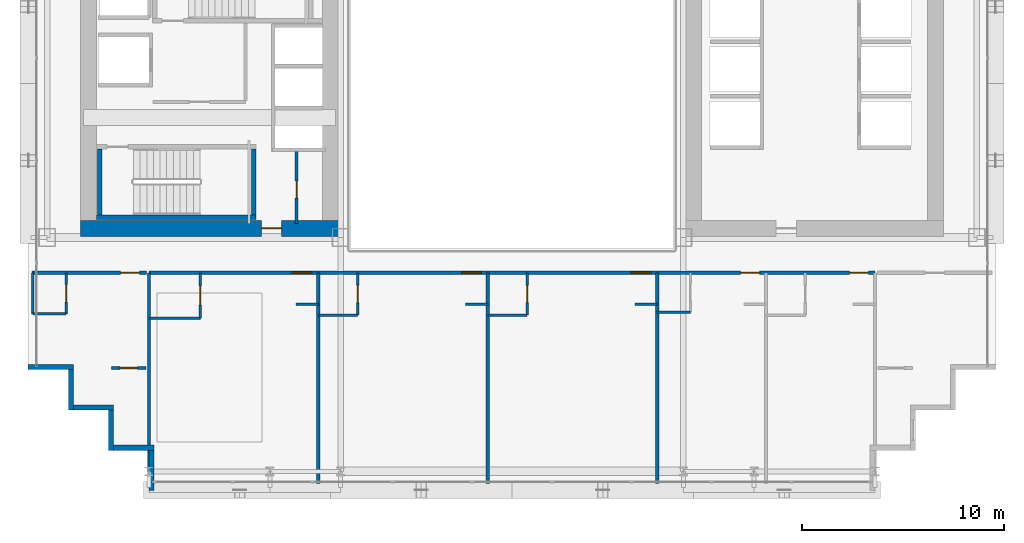
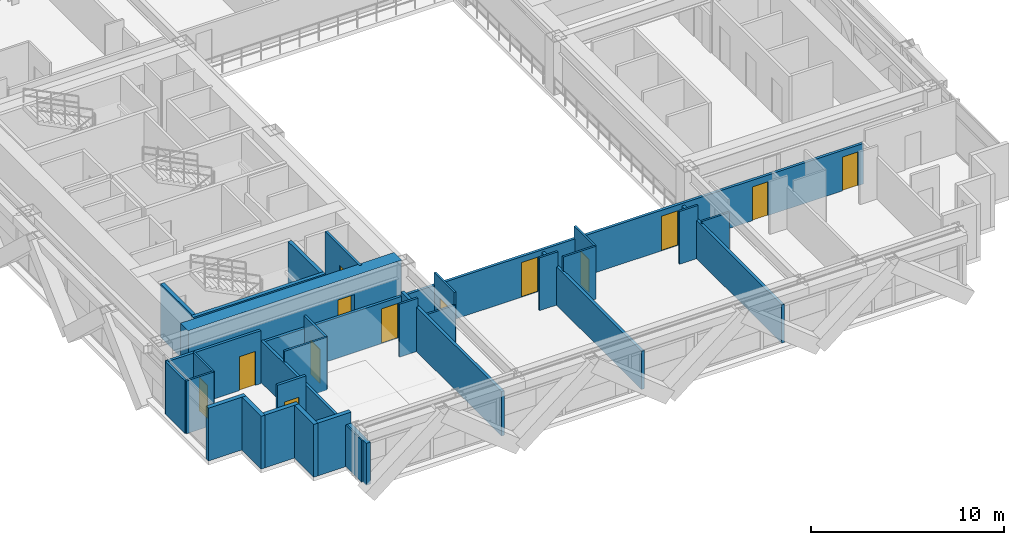
# One storey, part 27 of 35: 31 walls, 13 doors, 13 openings.
"""IFC4 building model written with IfcOpenShell, lengths in metres."""

from ifc_helpers import new_model, si_unit, direction, frame, frame_2d, origin, place, context, subcontext, project, spatial, rectangle, extrude, source, transform, mapped, material, layer, layer_set, type_object, element, fill, save


model = new_model("IFC4")

# Units and contexts
model_context = context("Model", 3, precision=1e-05, world=origin(), true_north=direction((0.0, 1.0)))
body_context = subcontext(model_context, "Body", "Model", "MODEL_VIEW")
ifc_project = project(units=[si_unit("LENGTHUNIT", "METRE"), si_unit("AREAUNIT", "SQUARE_METRE"), si_unit("VOLUMEUNIT", "CUBIC_METRE"), si_unit("PLANEANGLEUNIT", "RADIAN"), si_unit("MASSUNIT", "GRAM", prefix="KILO")], contexts=[model_context])

# Site, building, storey
site_placement = place(None, origin())
site = spatial("IfcSite", under=ifc_project, at=site_placement, CompositionType="ELEMENT")
building_placement = place(site_placement, origin())
building = spatial("IfcBuilding", under=site, at=building_placement, Name="Ocotamira Hotel", CompositionType="ELEMENT")
storey_placement = place(building_placement, frame((0.0, 0.0, 63.60009765625)))
storey = spatial("IfcBuildingStorey", under=building, at=storey_placement, Name="L15", CompositionType="ELEMENT", Elevation=63.60009765625)

# Wall, opening, door
ifc_material_1 = material(Name="Concrete C60/75", Category="concrete")
ifc_layer_1 = layer(ifc_material_1, 0.800048828125)
ifc_layer_set_1 = layer_set([ifc_layer_1], Name="Concrete C60/75")
wall_type_1 = type_object("IfcWallType", Name="WL-CORE-800", PredefinedType="SHEAR", material=ifc_layer_set_1)
wall_1_placement = place(storey_placement, frame((10.60009765625, 15.0, 0.0), z_axis=(0.0, 0.0, 1.0), x_axis=(1.0, 0.0, 0.0)))
wall_1 = element("IfcWall", 1, at=wall_1_placement, inside=storey, type_object=wall_type_1, Name="L15 Shear Core Wall WCORE-S", PredefinedType="SHEAR", context=body_context, shape_type="SweptSolid", body=[
    extrude(rectangle(XDim=12.7998046875, YDim=0.800048828125, at=frame_2d((6.39990234375, 0.0))), origin(), (0.0, 0.0, 1.0), 3.349853515625),
])
opening_1_placement = place(wall_1_placement, frame((8.97998046875, 0.0, 0.0)))
opening_1 = element("IfcOpeningElement", 2, at=opening_1_placement, cuts=wall_1, Name="Opening D-FR2", PredefinedType="OPENING", context=body_context, shape_type="SweptSolid", body=[
    extrude(rectangle(XDim=1.0, YDim=2.14990234375, at=frame_2d((0.5, 1.074951171875))), frame((0.0, 0.41015625, 0.0), z_axis=(0.0, -1.0, 0.0), x_axis=(1.0, 0.0, 0.0)), (0.0, 0.0, 1.0), 0.820068359375),
])
ifc_material_2 = material(Name="Fire-rated acoustic timber-veneer door", Category="wood")
door_type_1 = type_object("IfcDoorType", Name="DR-FIRE-1000", OperationType="NOTDEFINED", PredefinedType="DOOR", material=ifc_material_2)
shared_shape_1 = source(origin(), body_context, "Body", "SweptSolid", [
    extrude(rectangle(XDim=1.0, YDim=2.14990234375, at=frame_2d((0.5, 1.074951171875))), frame((0.0, 0.02490234375, 0.0), z_axis=(0.0, -1.0, 0.0), x_axis=(1.0, 0.0, 0.0)), (0.0, 0.0, 1.0), 0.050048828125),
])
door_1_placement = place(opening_1_placement, origin())
door_1 = element("IfcDoor", 3, at=door_1_placement, inside=storey, type_object=door_type_1, Name="L15 Door ID-L15-WLOB-S-D [ID-L15-WLOB-S-D]", OperationType="SINGLE_SWING_LEFT", OverallHeight=2.14990234375, OverallWidth=1.0, PredefinedType="DOOR", context=body_context, shape_type="MappedRepresentation", body=[
    mapped(shared_shape_1, transform((0.0, 0.0, 0.0), scale=1.0)),
])
fill(opening_1, door_1)

# Walls
ifc_material_3 = material(Name="Precast concrete C45/55", Category="concrete")
ifc_layer_2 = layer(ifc_material_3, 0.25)
ifc_layer_set_2 = layer_set([ifc_layer_2], Name="Precast concrete C45/55")
wall_type_2 = type_object("IfcWallType", Name="WL-EXT-SER-250", PredefinedType="SOLIDWALL", material=ifc_layer_set_2)
wall_2_placement = place(storey_placement, frame((8.0, 8.125, 0.0), z_axis=(0.0, 0.0, 1.0), x_axis=(1.0, 0.0, 0.0)))
element("IfcWall", 4, at=wall_2_placement, inside=storey, type_object=wall_type_2, Name="L15 Serrated Corner Wall 19", PredefinedType="SOLIDWALL", context=body_context, shape_type="SweptSolid", body=[
    extrude(rectangle(XDim=2.25, YDim=0.25, at=frame_2d((1.125, 0.0))), origin(), (0.0, 0.0, 1.0), 3.349853515625),
])
for number, where, z_axis, x_axis, name in (
    (5, (10.125, 8.0, 0.0), (0.0, 0.0, 1.0), (0.0, -1.0, 0.0), "L15 Serrated Corner Wall 20"),
    (6, (10.25, 6.125, 0.0), (0.0, 0.0, 1.0), (1.0, 0.0, 0.0), "L15 Serrated Corner Wall 21"),
    (7, (12.125, 6.0, 0.0), (0.0, 0.0, 1.0), (0.0, -1.0, 0.0), "L15 Serrated Corner Wall 22"),
    (8, (12.25, 4.125, 0.0), (0.0, 0.0, 1.0), (1.0, 0.0, 0.0), "L15 Serrated Corner Wall 23"),
):
    element("IfcWall", number, at=place(storey_placement, frame(where, z_axis=z_axis, x_axis=x_axis)), inside=storey, type_object=wall_type_2, Name=name, PredefinedType="SOLIDWALL", context=body_context, shape_type="SweptSolid", body=[
        extrude(rectangle(XDim=2.0, YDim=0.25, at=frame_2d((1.0, 0.0))), origin(), (0.0, 0.0, 1.0), 3.349853515625),
    ])
wall_3_placement = place(storey_placement, frame((14.125, 4.0, 0.0), z_axis=(0.0, 0.0, 1.0), x_axis=(0.0, -1.0, 0.0)))
element("IfcWall", 9, at=wall_3_placement, inside=storey, type_object=wall_type_2, Name="L15 Serrated Corner Wall 24", PredefinedType="SOLIDWALL", context=body_context, shape_type="SweptSolid", body=[
    extrude(rectangle(XDim=2.0, YDim=0.25, at=frame_2d((1.0, 0.0))), origin(), (0.0, 0.0, 1.0), 2.656982421875),
])

# Wall, opening, door
ifc_material_4 = material(Name="Acoustic double-layer fire gypsum board partition", Category="gypsum")
ifc_layer_3 = layer(ifc_material_4, 0.159912109375)
ifc_layer_set_3 = layer_set([ifc_layer_3], Name="Acoustic double-layer fire gypsum board partition")
wall_type_3 = type_object("IfcWallType", Name="WL-FIRE-160", PredefinedType="PARTITIONING", material=ifc_layer_set_3)
wall_4_placement = place(storey_placement, frame((8.199951171875, 12.800048828125, 0.0), z_axis=(0.0, 0.0, 1.0), x_axis=(1.0, 0.0, 0.0)))
wall_4 = element("IfcWall", 10, at=wall_4_placement, inside=storey, type_object=wall_type_3, Name="L15 Interior Wall PW-L15-Z1C-CSW-CW", PredefinedType="PARTITIONING", context=body_context, shape_type="SweptSolid", body=[
    extrude(rectangle(XDim=5.679931640625, YDim=0.159912109375, at=frame_2d((2.83984375, 0.0))), origin(), (0.0, 0.0, 1.0), 3.349853515625),
])
opening_2_placement = place(wall_4_placement, frame((4.39990234375, 0.0, 0.0)))
opening_2 = element("IfcOpeningElement", 11, at=opening_2_placement, cuts=wall_4, Name="Opening D-GR1", PredefinedType="OPENING", context=body_context, shape_type="SweptSolid", body=[
    extrude(rectangle(XDim=0.93994140625, YDim=2.14990234375, at=frame_2d((0.469970703125, 1.074951171875))), frame((0.0, 0.08984375, 0.0), z_axis=(0.0, -1.0, 0.0), x_axis=(1.0, 0.0, 0.0)), (0.0, 0.0, 1.0), 0.179931640625),
])
ifc_material_5 = material(Name="Solid-core walnut suite entrance fire door", Category="wood")
door_type_2 = type_object("IfcDoorType", Name="DR-GUEST-940", OperationType="NOTDEFINED", PredefinedType="DOOR", material=ifc_material_5)
shared_shape_2 = source(origin(), body_context, "Body", "SweptSolid", [
    extrude(rectangle(XDim=0.93994140625, YDim=2.14990234375, at=frame_2d((0.469970703125, 1.074951171875))), frame((0.0, 0.02490234375, 0.0), z_axis=(0.0, -1.0, 0.0), x_axis=(1.0, 0.0, 0.0)), (0.0, 0.0, 1.0), 0.050048828125),
])
door_2_placement = place(opening_2_placement, origin())
door_2 = element("IfcDoor", 12, at=door_2_placement, inside=storey, type_object=door_type_2, Name="L15 Door ID-L15-Z1C-CSW-CD [ID-L15-Z1C-CSW-CD]", OperationType="SINGLE_SWING_RIGHT", OverallHeight=2.14990234375, OverallWidth=0.93994140625, PredefinedType="DOOR", context=body_context, shape_type="MappedRepresentation", body=[
    mapped(shared_shape_2, transform((0.0, 0.0, 0.0), scale=1.0)),
])
fill(opening_2, door_2)

wall_5_placement = place(storey_placement, frame((12.14990234375, 8.080078125, 0.0), z_axis=(0.0, 0.0, 1.0), x_axis=(1.0, 0.0, 0.0)))
wall_5 = element("IfcWall", 13, at=wall_5_placement, inside=storey, type_object=wall_type_3, Name="L15 Interior Wall PW-L15-Z1C-CSW2-CW", PredefinedType="PARTITIONING", context=body_context, shape_type="SweptSolid", body=[
    extrude(rectangle(XDim=1.7001953125, YDim=0.159912109375, at=frame_2d((0.85009765625, 0.0))), origin(), (0.0, 0.0, 1.0), 3.349853515625),
])
opening_3_placement = place(wall_5_placement, frame((0.409912109375, 0.0, 0.0)))
opening_3 = element("IfcOpeningElement", 14, at=opening_3_placement, cuts=wall_5, Name="Opening D-SV2", PredefinedType="OPENING", context=body_context, shape_type="SweptSolid", body=[
    extrude(rectangle(XDim=0.8798828125, YDim=2.14990234375, at=frame_2d((0.43994140625, 1.074951171875))), frame((0.0, 0.08984375, 0.0), z_axis=(0.0, -1.0, 0.0), x_axis=(1.0, 0.0, 0.0)), (0.0, 0.0, 1.0), 0.179931640625),
])
ifc_material_6 = material(Name="Fire-rated painted steel service door", Category="steel")
door_type_3 = type_object("IfcDoorType", Name="DR-SERV-880", OperationType="NOTDEFINED", PredefinedType="DOOR", material=ifc_material_6)
shared_shape_3 = source(origin(), body_context, "Body", "SweptSolid", [
    extrude(rectangle(XDim=0.8798828125, YDim=2.14990234375, at=frame_2d((0.43994140625, 1.074951171875))), frame((0.0, 0.02490234375, 0.0), z_axis=(0.0, -1.0, 0.0), x_axis=(1.0, 0.0, 0.0)), (0.0, 0.0, 1.0), 0.050048828125),
])
door_3_placement = place(opening_3_placement, origin())
door_3 = element("IfcDoor", 15, at=door_3_placement, inside=storey, type_object=door_type_3, Name="L15 Door ID-L15-Z1C-CSW2-CD [ID-L15-Z1C-CSW2-CD]", OperationType="SINGLE_SWING_LEFT", OverallHeight=2.14990234375, OverallWidth=0.8798828125, PredefinedType="DOOR", context=body_context, shape_type="MappedRepresentation", body=[
    mapped(shared_shape_3, transform((0.0, 0.0, 0.0), scale=1.0)),
])
fill(opening_3, door_3)

# Wall, openings, doors
wall_6_placement = place(storey_placement, frame((14.0, 12.800048828125, 0.0), z_axis=(0.0, 0.0, 1.0), x_axis=(1.0, 0.0, 0.0)))
wall_6 = element("IfcWall", 16, at=wall_6_placement, inside=storey, type_object=wall_type_3, Name="L15 Interior Wall PW-L15-Z1CS-CORRW", PredefinedType="PARTITIONING", context=body_context, shape_type="SweptSolid", body=[
    extrude(rectangle(XDim=36.0, YDim=0.159912109375, at=frame_2d((18.0, 0.0))), origin(), (0.0, 0.0, 1.0), 2.57080078125),
])
opening_4_placement = place(wall_6_placement, frame((7.10009765625, 0.0, 0.0)))
opening_4 = element("IfcOpeningElement", 17, at=opening_4_placement, cuts=wall_6, Name="Opening D-GR2", PredefinedType="OPENING", context=body_context, shape_type="SweptSolid", body=[
    extrude(rectangle(XDim=0.97998046875, YDim=2.199951171875, at=frame_2d((0.489990234375, 1.10009765625))), frame((0.0, 0.08984375, 0.0), z_axis=(0.0, -1.0, 0.0), x_axis=(1.0, 0.0, 0.0)), (0.0, 0.0, 1.0), 0.179931640625),
])
opening_5_placement = place(wall_6_placement, frame((15.5, 0.0, 0.0)))
opening_5 = element("IfcOpeningElement", 18, at=opening_5_placement, cuts=wall_6, Name="Opening D-GR2", PredefinedType="OPENING", context=body_context, shape_type="SweptSolid", body=[
    extrude(rectangle(XDim=0.97998046875, YDim=2.199951171875, at=frame_2d((0.489990234375, 1.10009765625))), frame((0.0, 0.08984375, 0.0), z_axis=(0.0, -1.0, 0.0), x_axis=(1.0, 0.0, 0.0)), (0.0, 0.0, 1.0), 0.179931640625),
])
opening_6_placement = place(wall_6_placement, frame((23.89990234375, 0.0, 0.0)))
opening_6 = element("IfcOpeningElement", 19, at=opening_6_placement, cuts=wall_6, Name="Opening D-GR2", PredefinedType="OPENING", context=body_context, shape_type="SweptSolid", body=[
    extrude(rectangle(XDim=0.97998046875, YDim=2.199951171875, at=frame_2d((0.489990234375, 1.10009765625))), frame((0.0, 0.08984375, 0.0), z_axis=(0.0, -1.0, 0.0), x_axis=(1.0, 0.0, 0.0)), (0.0, 0.0, 1.0), 0.179931640625),
])
opening_7_placement = place(wall_6_placement, frame((29.340087890625, 0.0, 0.0)))
opening_7 = element("IfcOpeningElement", 20, at=opening_7_placement, cuts=wall_6, Name="Opening D-GR1", PredefinedType="OPENING", context=body_context, shape_type="SweptSolid", body=[
    extrude(rectangle(XDim=0.93994140625, YDim=2.14990234375, at=frame_2d((0.469970703125, 1.074951171875))), frame((0.0, 0.08984375, 0.0), z_axis=(0.0, -1.0, 0.0), x_axis=(1.0, 0.0, 0.0)), (0.0, 0.0, 1.0), 0.179931640625),
])
opening_8_placement = place(wall_6_placement, frame((34.739990234375, 0.0, 0.0)))
opening_8 = element("IfcOpeningElement", 21, at=opening_8_placement, cuts=wall_6, Name="Opening D-GR1", PredefinedType="OPENING", context=body_context, shape_type="SweptSolid", body=[
    extrude(rectangle(XDim=0.93994140625, YDim=2.14990234375, at=frame_2d((0.469970703125, 1.074951171875))), frame((0.0, 0.08984375, 0.0), z_axis=(0.0, -1.0, 0.0), x_axis=(1.0, 0.0, 0.0)), (0.0, 0.0, 1.0), 0.179931640625),
])
door_4_placement = place(opening_7_placement, origin())
door_4 = element("IfcDoor", 22, at=door_4_placement, inside=storey, type_object=door_type_2, Name="L15 Door ID-L15-Z1CS-RMD4 [ID-L15-Z1CS-RMD4]", OperationType="SINGLE_SWING_RIGHT", OverallHeight=2.14990234375, OverallWidth=0.93994140625, PredefinedType="DOOR", context=body_context, shape_type="MappedRepresentation", body=[
    mapped(shared_shape_2, transform((0.0, 0.0, 0.0), scale=1.0)),
])
fill(opening_7, door_4)
door_5_placement = place(opening_8_placement, origin())
door_5 = element("IfcDoor", 23, at=door_5_placement, inside=storey, type_object=door_type_2, Name="L15 Door ID-L15-Z1CS-RMD5 [ID-L15-Z1CS-RMD5]", OperationType="SINGLE_SWING_LEFT", OverallHeight=2.14990234375, OverallWidth=0.93994140625, PredefinedType="DOOR", context=body_context, shape_type="MappedRepresentation", body=[
    mapped(shared_shape_2, transform((0.0, 0.0, 0.0), scale=1.0)),
])
fill(opening_8, door_5)
ifc_material_7 = material(Name="Solid-core walnut grand-suite entrance fire door", Category="wood")
door_type_4 = type_object("IfcDoorType", Name="DR-GUEST-980", OperationType="NOTDEFINED", PredefinedType="DOOR", material=ifc_material_7)
shared_shape_4 = source(origin(), body_context, "Body", "SweptSolid", [
    extrude(rectangle(XDim=0.97998046875, YDim=2.199951171875, at=frame_2d((0.489990234375, 1.10009765625))), frame((0.0, 0.02490234375, 0.0), z_axis=(0.0, -1.0, 0.0), x_axis=(1.0, 0.0, 0.0)), (0.0, 0.0, 1.0), 0.050048828125),
])
door_6_placement = place(opening_4_placement, origin())
door_6 = element("IfcDoor", 24, at=door_6_placement, inside=storey, type_object=door_type_4, Name="L15 Door ID-L15-Z1CS-RMD1 [ID-L15-Z1CS-RMD1]", OperationType="SINGLE_SWING_LEFT", OverallHeight=2.199951171875, OverallWidth=0.97998046875, PredefinedType="DOOR", context=body_context, shape_type="MappedRepresentation", body=[
    mapped(shared_shape_4, transform((0.0, 0.0, 0.0), scale=1.0)),
])
fill(opening_4, door_6)
door_7_placement = place(opening_5_placement, origin())
door_7 = element("IfcDoor", 25, at=door_7_placement, inside=storey, type_object=door_type_4, Name="L15 Door ID-L15-Z1CS-RMD2 [ID-L15-Z1CS-RMD2]", OperationType="SINGLE_SWING_RIGHT", OverallHeight=2.199951171875, OverallWidth=0.97998046875, PredefinedType="DOOR", context=body_context, shape_type="MappedRepresentation", body=[
    mapped(shared_shape_4, transform((0.0, 0.0, 0.0), scale=1.0)),
])
fill(opening_5, door_7)
door_8_placement = place(opening_6_placement, origin())
door_8 = element("IfcDoor", 26, at=door_8_placement, inside=storey, type_object=door_type_4, Name="L15 Door ID-L15-Z1CS-RMD3 [ID-L15-Z1CS-RMD3]", OperationType="SINGLE_SWING_LEFT", OverallHeight=2.199951171875, OverallWidth=0.97998046875, PredefinedType="DOOR", context=body_context, shape_type="MappedRepresentation", body=[
    mapped(shared_shape_4, transform((0.0, 0.0, 0.0), scale=1.0)),
])
fill(opening_6, door_8)

# Wall, opening, door
ifc_material_8 = material(Name="Moisture-resistant en-suite tile and gypsum partition", Category="gypsum")
ifc_layer_4 = layer(ifc_material_8, 0.1201171875)
ifc_layer_set_4 = layer_set([ifc_layer_4], Name="Moisture-resistant en-suite tile and gypsum partition")
wall_type_4 = type_object("IfcWallType", Name="WL-PART-120", PredefinedType="PARTITIONING", material=ifc_layer_set_4)
wall_7_placement = place(storey_placement, frame((9.889892578125, 10.760009765625, 0.0), z_axis=(0.0, 0.0, 1.0), x_axis=(0.0, 1.0, 0.0)))
wall_7 = element("IfcWall", 27, at=wall_7_placement, inside=storey, type_object=wall_type_4, Name="L15 Interior Wall PW-L15-Z1C-CSW-BE", PredefinedType="PARTITIONING", context=body_context, shape_type="SweptSolid", body=[
    extrude(rectangle(XDim=2.0400390625, YDim=0.1201171875, at=frame_2d((1.02001953125, 0.0))), origin(), (0.0, 0.0, 1.0), 3.349853515625),
])
opening_9_placement = place(wall_7_placement, frame((0.590087890625, 0.0, 0.0)))
opening_9 = element("IfcOpeningElement", 28, at=opening_9_placement, cuts=wall_7, Name="Opening D-BA1", PredefinedType="OPENING", context=body_context, shape_type="SweptSolid", body=[
    extrude(rectangle(XDim=0.860107421875, YDim=2.10009765625, at=frame_2d((0.43017578125, 1.050048828125))), frame((0.0, 0.070068359375, 0.0), z_axis=(0.0, -1.0, 0.0), x_axis=(1.0, 0.0, 0.0)), (0.0, 0.0, 1.0), 0.14013671875),
])
ifc_material_9 = material(Name="Moisture-sealed en-suite timber door", Category="wood")
door_type_5 = type_object("IfcDoorType", Name="DR-BATH-860", OperationType="NOTDEFINED", PredefinedType="DOOR", material=ifc_material_9)
shared_shape_5 = source(origin(), body_context, "Body", "SweptSolid", [
    extrude(rectangle(XDim=0.860107421875, YDim=2.10009765625, at=frame_2d((0.43017578125, 1.050048828125))), frame((0.0, 0.02490234375, 0.0), z_axis=(0.0, -1.0, 0.0), x_axis=(1.0, 0.0, 0.0)), (0.0, 0.0, 1.0), 0.050048828125),
])
door_9_placement = place(opening_9_placement, origin())
door_9 = element("IfcDoor", 29, at=door_9_placement, inside=storey, type_object=door_type_5, Name="L15 Door ID-L15-Z1C-CSW-BD [ID-L15-Z1C-CSW-BD]", OperationType="SINGLE_SWING_LEFT", OverallHeight=2.10009765625, OverallWidth=0.860107421875, PredefinedType="DOOR", context=body_context, shape_type="MappedRepresentation", body=[
    mapped(shared_shape_5, transform((0.0, 0.0, 0.0), scale=1.0)),
])
fill(opening_9, door_9)

# Walls
wall_8_placement = place(storey_placement, frame((8.239990234375, 10.760009765625, 0.0), z_axis=(0.0, 0.0, 1.0), x_axis=(0.0, 1.0, 0.0)))
element("IfcWall", 30, at=wall_8_placement, inside=storey, type_object=wall_type_4, Name="L15 Interior Wall PW-L15-Z1C-CSW-BW", PredefinedType="PARTITIONING", context=body_context, shape_type="SweptSolid", body=[
    extrude(rectangle(XDim=2.0400390625, YDim=0.1201171875, at=frame_2d((1.02001953125, 0.0))), origin(), (0.0, 0.0, 1.0), 3.349853515625),
])
wall_9_placement = place(storey_placement, frame((8.239990234375, 10.760009765625, 0.0), z_axis=(0.0, 0.0, 1.0), x_axis=(1.0, 0.0, 0.0)))
element("IfcWall", 31, at=wall_9_placement, inside=storey, type_object=wall_type_4, Name="L15 Interior Wall PW-L15-Z1C-CSW-BH", PredefinedType="PARTITIONING", context=body_context, shape_type="SweptSolid", body=[
    extrude(rectangle(XDim=1.64990234375, YDim=0.1201171875, at=frame_2d((0.824951171875, 0.0))), origin(), (0.0, 0.0, 1.0), 3.349853515625),
])

# Wall, opening, door
wall_10_placement = place(storey_placement, frame((16.550048828125, 10.550048828125, 0.0), z_axis=(0.0, 0.0, 1.0), x_axis=(0.0, 1.0, 0.0)))
wall_10 = element("IfcWall", 32, at=wall_10_placement, inside=storey, type_object=wall_type_4, Name="L15 Interior Wall PW-L15-Z1CS-BAE1", PredefinedType="PARTITIONING", context=body_context, shape_type="SweptSolid", body=[
    extrude(rectangle(XDim=2.25, YDim=0.1201171875, at=frame_2d((1.125, 0.0))), origin(), (0.0, 0.0, 1.0), 3.349853515625),
])
opening_10_placement = place(wall_10_placement, frame((0.64501953125, 0.0, 0.0)))
opening_10 = element("IfcOpeningElement", 33, at=opening_10_placement, cuts=wall_10, Name="Opening D-IN1", PredefinedType="OPENING", context=body_context, shape_type="SweptSolid", body=[
    extrude(rectangle(XDim=0.9599609375, YDim=2.14990234375, at=frame_2d((0.47998046875, 1.074951171875))), frame((0.0, 0.070068359375, 0.0), z_axis=(0.0, -1.0, 0.0), x_axis=(1.0, 0.0, 0.0)), (0.0, 0.0, 1.0), 0.14013671875),
])
ifc_material_10 = material(Name="Accessible walnut interior room door", Category="wood")
door_type_6 = type_object("IfcDoorType", Name="DR-INT-960", OperationType="NOTDEFINED", PredefinedType="DOOR", material=ifc_material_10)
shared_shape_6 = source(origin(), body_context, "Body", "SweptSolid", [
    extrude(rectangle(XDim=0.9599609375, YDim=2.14990234375, at=frame_2d((0.47998046875, 1.074951171875))), frame((0.0, 0.02490234375, 0.0), z_axis=(0.0, -1.0, 0.0), x_axis=(1.0, 0.0, 0.0)), (0.0, 0.0, 1.0), 0.050048828125),
])
door_10_placement = place(opening_10_placement, origin())
door_10 = element("IfcDoor", 34, at=door_10_placement, inside=storey, type_object=door_type_6, Name="L15 Door ID-L15-Z1CS-BAD1 [ID-L15-Z1CS-BAD1]", OperationType="SINGLE_SWING_RIGHT", OverallHeight=2.14990234375, OverallWidth=0.9599609375, PredefinedType="DOOR", context=body_context, shape_type="MappedRepresentation", body=[
    mapped(shared_shape_6, transform((0.0, 0.0, 0.0), scale=1.0)),
])
fill(opening_10, door_10)

# Walls
wall_11_placement = place(storey_placement, frame((14.0, 10.550048828125, 0.0), z_axis=(0.0, 0.0, 1.0), x_axis=(1.0, 0.0, 0.0)))
element("IfcWall", 35, at=wall_11_placement, inside=storey, type_object=wall_type_4, Name="L15 Interior Wall PW-L15-Z1CS-BAS1", PredefinedType="PARTITIONING", context=body_context, shape_type="SweptSolid", body=[
    extrude(rectangle(XDim=2.550048828125, YDim=0.1201171875, at=frame_2d((1.27490234375, 0.0))), origin(), (0.0, 0.0, 1.0), 3.349853515625),
])
wall_12_placement = place(storey_placement, frame((21.300048828125, 11.25, 0.0), z_axis=(0.0, 0.0, 1.0), x_axis=(1.0, 0.0, 0.0)))
element("IfcWall", 36, at=wall_12_placement, inside=storey, type_object=wall_type_4, Name="L15 Interior Wall PW-L15-Z1CS-DRN1", PredefinedType="PARTITIONING", context=body_context, shape_type="SweptSolid", body=[
    extrude(rectangle(XDim=1.099853515625, YDim=0.1201171875, at=frame_2d((0.5498046875, 0.0))), origin(), (0.0, 0.0, 1.0), 3.349853515625),
])

# Wall, opening, door
wall_13_placement = place(storey_placement, frame((24.35009765625, 10.699951171875, 0.0), z_axis=(0.0, 0.0, 1.0), x_axis=(0.0, 1.0, 0.0)))
wall_13 = element("IfcWall", 37, at=wall_13_placement, inside=storey, type_object=wall_type_4, Name="L15 Interior Wall PW-L15-Z1CS-BAE2", PredefinedType="PARTITIONING", context=body_context, shape_type="SweptSolid", body=[
    extrude(rectangle(XDim=2.10009765625, YDim=0.1201171875, at=frame_2d((1.050048828125, 0.0))), origin(), (0.0, 0.0, 1.0), 3.349853515625),
])
opening_11_placement = place(wall_13_placement, frame((0.6201171875, 0.0, 0.0)))
opening_11 = element("IfcOpeningElement", 38, at=opening_11_placement, cuts=wall_13, Name="Opening D-BA1", PredefinedType="OPENING", context=body_context, shape_type="SweptSolid", body=[
    extrude(rectangle(XDim=0.860107421875, YDim=2.10009765625, at=frame_2d((0.43017578125, 1.050048828125))), frame((0.0, 0.070068359375, 0.0), z_axis=(0.0, -1.0, 0.0), x_axis=(1.0, 0.0, 0.0)), (0.0, 0.0, 1.0), 0.14013671875),
])
door_11_placement = place(opening_11_placement, origin())
door_11 = element("IfcDoor", 39, at=door_11_placement, inside=storey, type_object=door_type_5, Name="L15 Door ID-L15-Z1CS-BAD2 [ID-L15-Z1CS-BAD2]", OperationType="SINGLE_SWING_LEFT", OverallHeight=2.10009765625, OverallWidth=0.860107421875, PredefinedType="DOOR", context=body_context, shape_type="MappedRepresentation", body=[
    mapped(shared_shape_5, transform((0.0, 0.0, 0.0), scale=1.0)),
])
fill(opening_11, door_11)

# Walls
wall_14_placement = place(storey_placement, frame((22.39990234375, 10.699951171875, 0.0), z_axis=(0.0, 0.0, 1.0), x_axis=(1.0, 0.0, 0.0)))
element("IfcWall", 40, at=wall_14_placement, inside=storey, type_object=wall_type_4, Name="L15 Interior Wall PW-L15-Z1CS-BAS2", PredefinedType="PARTITIONING", context=body_context, shape_type="SweptSolid", body=[
    extrude(rectangle(XDim=1.9501953125, YDim=0.1201171875, at=frame_2d((0.97509765625, 0.0))), origin(), (0.0, 0.0, 1.0), 2.57080078125),
])
wall_15_placement = place(storey_placement, frame((29.699951171875, 11.25, 0.0), z_axis=(0.0, 0.0, 1.0), x_axis=(1.0, 0.0, 0.0)))
element("IfcWall", 41, at=wall_15_placement, inside=storey, type_object=wall_type_4, Name="L15 Interior Wall PW-L15-Z1CS-DRN2", PredefinedType="PARTITIONING", context=body_context, shape_type="SweptSolid", body=[
    extrude(rectangle(XDim=1.10009765625, YDim=0.1201171875, at=frame_2d((0.550048828125, 0.0))), origin(), (0.0, 0.0, 1.0), 3.349853515625),
])

# Wall, opening, door
wall_16_placement = place(storey_placement, frame((32.75, 10.699951171875, 0.0), z_axis=(0.0, 0.0, 1.0), x_axis=(0.0, 1.0, 0.0)))
wall_16 = element("IfcWall", 42, at=wall_16_placement, inside=storey, type_object=wall_type_4, Name="L15 Interior Wall PW-L15-Z1CS-BAE3", PredefinedType="PARTITIONING", context=body_context, shape_type="SweptSolid", body=[
    extrude(rectangle(XDim=2.10009765625, YDim=0.1201171875, at=frame_2d((1.050048828125, 0.0))), origin(), (0.0, 0.0, 1.0), 3.349853515625),
])
opening_12_placement = place(wall_16_placement, frame((0.6201171875, 0.0, 0.0)))
opening_12 = element("IfcOpeningElement", 43, at=opening_12_placement, cuts=wall_16, Name="Opening D-BA1", PredefinedType="OPENING", context=body_context, shape_type="SweptSolid", body=[
    extrude(rectangle(XDim=0.860107421875, YDim=2.10009765625, at=frame_2d((0.43017578125, 1.050048828125))), frame((0.0, 0.070068359375, 0.0), z_axis=(0.0, -1.0, 0.0), x_axis=(1.0, 0.0, 0.0)), (0.0, 0.0, 1.0), 0.14013671875),
])
door_12_placement = place(opening_12_placement, origin())
door_12 = element("IfcDoor", 44, at=door_12_placement, inside=storey, type_object=door_type_5, Name="L15 Door ID-L15-Z1CS-BAD3 [ID-L15-Z1CS-BAD3]", OperationType="SINGLE_SWING_RIGHT", OverallHeight=2.10009765625, OverallWidth=0.860107421875, PredefinedType="DOOR", context=body_context, shape_type="MappedRepresentation", body=[
    mapped(shared_shape_5, transform((0.0, 0.0, 0.0), scale=1.0)),
])
fill(opening_12, door_12)

# Walls
wall_17_placement = place(storey_placement, frame((30.800048828125, 10.699951171875, 0.0), z_axis=(0.0, 0.0, 1.0), x_axis=(1.0, 0.0, 0.0)))
element("IfcWall", 45, at=wall_17_placement, inside=storey, type_object=wall_type_4, Name="L15 Interior Wall PW-L15-Z1CS-BAS3", PredefinedType="PARTITIONING", context=body_context, shape_type="SweptSolid", body=[
    extrude(rectangle(XDim=1.949951171875, YDim=0.1201171875, at=frame_2d((0.97509765625, 0.0))), origin(), (0.0, 0.0, 1.0), 3.349853515625),
])
wall_18_placement = place(storey_placement, frame((38.10009765625, 11.25, 0.0), z_axis=(0.0, 0.0, 1.0), x_axis=(1.0, 0.0, 0.0)))
element("IfcWall", 46, at=wall_18_placement, inside=storey, type_object=wall_type_4, Name="L15 Interior Wall PW-L15-Z1CS-DRN3", PredefinedType="PARTITIONING", context=body_context, shape_type="SweptSolid", body=[
    extrude(rectangle(XDim=1.099853515625, YDim=0.1201171875, at=frame_2d((0.5498046875, 0.0))), origin(), (0.0, 0.0, 1.0), 3.349853515625),
])
wall_19_placement = place(storey_placement, frame((39.199951171875, 10.85009765625, 0.0), z_axis=(0.0, 0.0, 1.0), x_axis=(1.0, 0.0, 0.0)))
element("IfcWall", 47, at=wall_19_placement, inside=storey, type_object=wall_type_4, Name="L15 Interior Wall PW-L15-Z1CS-BAS4", PredefinedType="PARTITIONING", context=body_context, shape_type="SweptSolid", body=[
    extrude(rectangle(XDim=1.650146484375, YDim=0.1201171875, at=frame_2d((0.8251953125, 0.0))), origin(), (0.0, 0.0, 1.0), 2.57080078125),
])

# Wall, opening, door
ifc_material_11 = material(Name="Acoustic hospitality gypsum board partition", Category="gypsum")
ifc_layer_5 = layer(ifc_material_11, 0.14208984375)
ifc_layer_set_5 = layer_set([ifc_layer_5], Name="Acoustic hospitality gypsum board partition")
wall_type_5 = type_object("IfcWallType", Name="WL-PART-142", PredefinedType="PARTITIONING", material=ifc_layer_set_5)
wall_20_placement = place(storey_placement, frame((21.320068359375, 15.25, 0.0), z_axis=(0.0, 0.0, 1.0), x_axis=(0.0, 1.0, 0.0)))
wall_20 = element("IfcWall", 48, at=wall_20_placement, inside=storey, type_object=wall_type_5, Name="L15 Interior Wall PW-L15-WC-SE-W", PredefinedType="PARTITIONING", context=body_context, shape_type="SweptSolid", body=[
    extrude(rectangle(XDim=3.590087890625, YDim=0.14208984375, at=frame_2d((1.794921875, 0.0))), origin(), (0.0, 0.0, 1.0), 3.349853515625),
])
opening_13_placement = place(wall_20_placement, frame((1.25, 0.0, 0.0)))
opening_13 = element("IfcOpeningElement", 49, at=opening_13_placement, cuts=wall_20, Name="Opening D-SV1", PredefinedType="OPENING", context=body_context, shape_type="SweptSolid", body=[
    extrude(rectangle(XDim=0.840087890625, YDim=2.10009765625, at=frame_2d((0.419921875, 1.050048828125))), frame((0.0, 0.0810546875, 0.0), z_axis=(0.0, -1.0, 0.0), x_axis=(1.0, 0.0, 0.0)), (0.0, 0.0, 1.0), 0.162109375),
])
door_type_7 = type_object("IfcDoorType", Name="DR-SERV-840", OperationType="NOTDEFINED", PredefinedType="DOOR", material=ifc_material_6)
shared_shape_7 = source(origin(), body_context, "Body", "SweptSolid", [
    extrude(rectangle(XDim=0.840087890625, YDim=2.10009765625, at=frame_2d((0.419921875, 1.050048828125))), frame((0.0, 0.02490234375, 0.0), z_axis=(0.0, -1.0, 0.0), x_axis=(1.0, 0.0, 0.0)), (0.0, 0.0, 1.0), 0.050048828125),
])
door_13_placement = place(opening_13_placement, origin())
door_13 = element("IfcDoor", 50, at=door_13_placement, inside=storey, type_object=door_type_7, Name="L15 Door ID-L15-WC-SE-D [ID-L15-WC-SE-D]", OperationType="SINGLE_SWING_RIGHT", OverallHeight=2.10009765625, OverallWidth=0.840087890625, PredefinedType="DOOR", context=body_context, shape_type="MappedRepresentation", body=[
    mapped(shared_shape_7, transform((0.0, 0.0, 0.0), scale=1.0)),
])
fill(opening_13, door_13)

# Walls
ifc_material_12 = material(Name="Acoustic double-stud hospitality gypsum partition", Category="gypsum")
ifc_layer_6 = layer(ifc_material_12, 0.159912109375)
ifc_layer_set_6 = layer_set([ifc_layer_6], Name="Acoustic double-stud hospitality gypsum partition")
wall_type_6 = type_object("IfcWallType", Name="WL-PART-160", PredefinedType="PARTITIONING", material=ifc_layer_set_6)
wall_21_placement = place(storey_placement, frame((14.0, 2.360107421875, 0.0), z_axis=(0.0, 0.0, 1.0), x_axis=(0.0, 1.0, 0.0)))
element("IfcWall", 51, at=wall_21_placement, inside=storey, type_object=wall_type_6, Name="L15 Interior Wall PW-L15-Z1CS-PW0", PredefinedType="PARTITIONING", context=body_context, shape_type="SweptSolid", body=[
    extrude(rectangle(XDim=10.43994140625, YDim=0.159912109375, at=frame_2d((5.219970703125, 0.0))), origin(), (0.0, 0.0, 1.0), 2.656982421875),
])
ifc_material_13 = material(Name="Double-stud suite party gypsum partition", Category="gypsum")
ifc_layer_7 = layer(ifc_material_13, 0.175048828125)
ifc_layer_set_7 = layer_set([ifc_layer_7], Name="Double-stud suite party gypsum partition")
wall_type_7 = type_object("IfcWallType", Name="WL-PART-175", PredefinedType="PARTITIONING", material=ifc_layer_set_7)
wall_22_placement = place(storey_placement, frame((22.39990234375, 2.360107421875, 0.0), z_axis=(0.0, 0.0, 1.0), x_axis=(0.0, 1.0, 0.0)))
element("IfcWall", 52, at=wall_22_placement, inside=storey, type_object=wall_type_7, Name="L15 Interior Wall PW-L15-Z1CS-PW1", PredefinedType="PARTITIONING", context=body_context, shape_type="SweptSolid", body=[
    extrude(rectangle(XDim=10.43994140625, YDim=0.175048828125, at=frame_2d((5.219970703125, 0.0))), origin(), (0.0, 0.0, 1.0), 2.81298828125),
])
for number, where, z_axis, x_axis, name in (
    (53, (30.800048828125, 2.360107421875, 0.0), (0.0, 0.0, 1.0), (0.0, 1.0, 0.0), "L15 Interior Wall PW-L15-Z1CS-PW2"),
    (54, (39.199951171875, 2.360107421875, 0.0), (0.0, 0.0, 1.0), (0.0, 1.0, 0.0), "L15 Interior Wall PW-L15-Z1CS-PW3"),
):
    element("IfcWall", number, at=place(storey_placement, frame(where, z_axis=z_axis, x_axis=x_axis)), inside=storey, type_object=wall_type_7, Name=name, PredefinedType="PARTITIONING", context=body_context, shape_type="SweptSolid", body=[
        extrude(rectangle(XDim=10.43994140625, YDim=0.175048828125, at=frame_2d((5.219970703125, 0.0))), origin(), (0.0, 0.0, 1.0), 2.4228515625),
    ])
ifc_material_14 = material(Name="Concrete C50/60", Category="concrete")
ifc_layer_8 = layer(ifc_material_14, 0.219970703125)
ifc_layer_set_8 = layer_set([ifc_layer_8], Name="Concrete C50/60")
wall_type_8 = type_object("IfcWallType", Name="WL-STAIR-220", PredefinedType="SHEAR", material=ifc_layer_set_8)
wall_23_placement = place(storey_placement, frame((11.39990234375, 15.56005859375, 0.0), z_axis=(0.0, 0.0, 1.0), x_axis=(1.0, 0.0, 0.0)))
element("IfcWall", 55, at=wall_23_placement, inside=storey, type_object=wall_type_8, Name="L15 Stair Shaft Structural Wall ST-1-S", PredefinedType="SHEAR", context=body_context, shape_type="SweptSolid", body=[
    extrude(rectangle(XDim=7.91015625, YDim=0.219970703125, at=frame_2d((3.955078125, 0.0))), origin(), (0.0, 0.0, 1.0), 3.39990234375),
])
for number, where, z_axis, x_axis, name in (
    (56, (11.56005859375, 15.669921875, 0.0), (0.0, 0.0, 1.0), (0.0, 1.0, 0.0), "L15 Stair Shaft Structural Wall ST-1-W"),
    (57, (19.199951171875, 15.669921875, 0.0), (0.0, 0.0, 1.0), (0.0, 1.0, 0.0), "L15 Stair Shaft Structural Wall ST-1-E"),
):
    element("IfcWall", number, at=place(storey_placement, frame(where, z_axis=z_axis, x_axis=x_axis)), inside=storey, type_object=wall_type_8, Name=name, PredefinedType="SHEAR", context=body_context, shape_type="SweptSolid", body=[
        extrude(rectangle(XDim=3.280029296875, YDim=0.219970703125, at=frame_2d((1.64013671875, 0.0))), origin(), (0.0, 0.0, 1.0), 3.39990234375),
    ])

save(model, "model.ifc")
